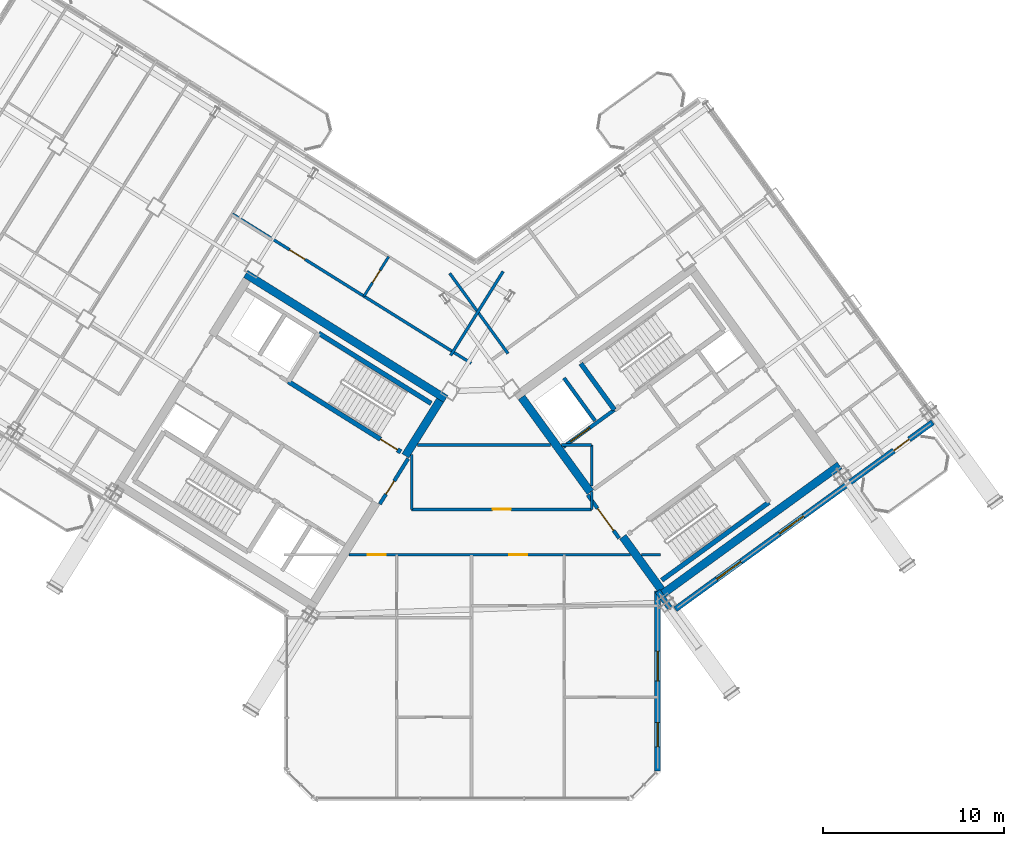
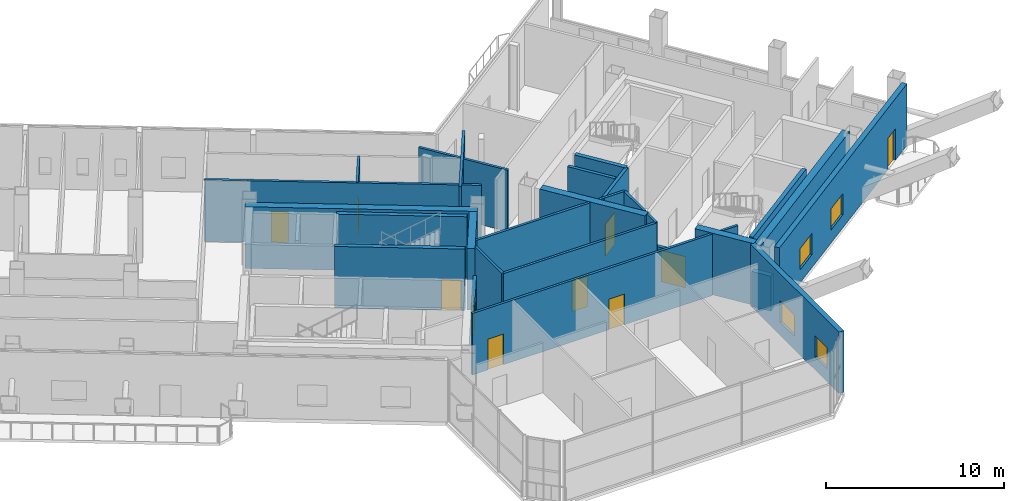
# One storey, part 24 of 34: 28 walls, 10 doors, 4 windows, 14 openings.
"""IFC4 building model written with IfcOpenShell, lengths in metres."""

from ifc_helpers import new_model, si_unit, direction, frame, frame_2d, origin, place, context, subcontext, project, spatial, rectangle, extrude, source, transform, mapped, material, layer, layer_set, type_object, element, fill, save


model = new_model("IFC4")

# Units and contexts
model_context = context("Model", 3, precision=1e-05, world=origin(), true_north=direction((0.0, 1.0)))
body_context = subcontext(model_context, "Body", "Model", "MODEL_VIEW")
ifc_project = project(units=[si_unit("LENGTHUNIT", "METRE"), si_unit("AREAUNIT", "SQUARE_METRE"), si_unit("VOLUMEUNIT", "CUBIC_METRE"), si_unit("PLANEANGLEUNIT", "RADIAN"), si_unit("MASSUNIT", "GRAM", prefix="KILO")], contexts=[model_context])

# Site, building, storey
site_placement = place(None, origin())
site = spatial("IfcSite", under=ifc_project, at=site_placement, CompositionType="ELEMENT")
building_placement = place(site_placement, origin())
building = spatial("IfcBuilding", under=site, at=building_placement, Name="Tlacorven Tower", CompositionType="ELEMENT")
storey_placement = place(building_placement, frame((0.0, 0.0, 229.199951171875)))
storey = spatial("IfcBuildingStorey", under=building, at=storey_placement, Name="L58", CompositionType="ELEMENT", Elevation=229.199951171875)

# Walls
ifc_material_1 = material(Name="Concrete C50/60", Category="concrete")
ifc_layer_1 = layer(ifc_material_1, 0.449951171875)
ifc_layer_set_1 = layer_set([ifc_layer_1], Name="Concrete C50/60")
wall_type_1 = type_object("IfcWallType", Name="WL-COR-450", PredefinedType="SHEAR", material=ifc_layer_set_1)
wall_1_placement = place(storey_placement, frame((40.53076171875, 24.036376953125, 0.0), z_axis=(0.0, 0.0, 1.0), x_axis=(-0.848048787466, 0.529918157905, 0.0)))
element("IfcWall", 1, at=wall_1_placement, inside=storey, type_object=wall_type_1, Name="L58 W core shear wall S1", PredefinedType="SHEAR", context=body_context, shape_type="SweptSolid", body=[
    extrude(rectangle(XDim=13.0400390625, YDim=0.449951171875, at=frame_2d((6.52001953125, 0.0))), origin(), (0.0, 0.0, 1.0), 4.219970703125),
])
wall_2_placement = place(storey_placement, frame((40.220703125, 23.96484375, 0.0), z_axis=(0.0, 0.0, 1.0), x_axis=(-0.529902075036, -0.848058836916, 0.0)))
element("IfcWall", 2, at=wall_2_placement, inside=storey, type_object=wall_type_1, Name="L58 W core end wall E1.1", PredefinedType="SHEAR", context=body_context, shape_type="SweptSolid", body=[
    extrude(rectangle(XDim=3.625, YDim=0.449951171875, at=frame_2d((1.8125, 0.0))), origin(), (0.0, 0.0, 1.0), 4.219970703125),
])
wall_3_placement = place(storey_placement, frame((52.3994140625, 13.169189453125, 0.0), z_axis=(0.0, 0.0, 1.0), x_axis=(0.809022352778, 0.587777877013, 0.0)))
element("IfcWall", 3, at=wall_3_placement, inside=storey, type_object=wall_type_1, Name="L58 E core shear wall S1", PredefinedType="SHEAR", context=body_context, shape_type="SweptSolid", body=[
    extrude(rectangle(XDim=12.239990234375, YDim=0.449951171875, at=frame_2d((6.1201171875, 0.0))), origin(), (0.0, 0.0, 1.0), 4.219970703125),
])
wall_4_placement = place(storey_placement, frame((52.44921875, 13.4833984375, 0.0), z_axis=(0.0, 0.0, 1.0), x_axis=(-0.587819244441, 0.808992296542, 0.0)))
element("IfcWall", 4, at=wall_4_placement, inside=storey, type_object=wall_type_1, Name="L58 E core end wall E1.1", PredefinedType="SHEAR", context=body_context, shape_type="SweptSolid", body=[
    extrude(rectangle(XDim=3.625, YDim=0.449951171875, at=frame_2d((1.8125, 0.0))), origin(), (0.0, 0.0, 1.0), 4.219970703125),
])
wall_5_placement = place(storey_placement, frame((48.525634765625, 18.883544921875, 0.0), z_axis=(0.0, 0.0, 1.0), x_axis=(-0.587774812919, 0.809024578921, 0.0)))
element("IfcWall", 5, at=wall_5_placement, inside=storey, type_object=wall_type_1, Name="L58 E core end wall E1.2", PredefinedType="SHEAR", context=body_context, shape_type="SweptSolid", body=[
    extrude(rectangle(XDim=6.47509765625, YDim=0.449951171875, at=frame_2d((3.237548828125, 0.0))), origin(), (0.0, 0.0, 1.0), 4.219970703125),
])

# Wall, opening, door
ifc_material_2 = material(Name="Gypsum plasterboard acoustic partition", Category="gypsum")
ifc_layer_2 = layer(ifc_material_2, 0.159912109375)
ifc_layer_set_2 = layer_set([ifc_layer_2], Name="Gypsum plasterboard acoustic partition")
wall_type_2 = type_object("IfcWallType", Name="WL-DEM-160", PredefinedType="PARTITIONING", material=ifc_layer_set_2)
wall_6_placement = place(storey_placement, frame((41.93603515625, 26.011962890625, 0.0), z_axis=(0.0, 0.0, 1.0), x_axis=(-0.848051154596, 0.529914369676, 0.0)))
wall_6 = element("IfcWall", 6, at=wall_6_placement, inside=storey, type_object=wall_type_2, Name="L58 partition 57", PredefinedType="PARTITIONING", context=body_context, shape_type="SweptSolid", body=[
    extrude(rectangle(XDim=15.56982421875, YDim=0.159912109375, at=frame_2d((7.784912109375, 0.0))), origin(), (0.0, 0.0, 1.0), 4.2099609375),
])
opening_1_placement = place(wall_6_placement, frame((10.830078125, 0.0, 0.0)))
opening_1 = element("IfcOpeningElement", 7, at=opening_1_placement, cuts=wall_6, Name="Opening D11", PredefinedType="OPENING", context=body_context, shape_type="SweptSolid", body=[
    extrude(rectangle(XDim=1.0, YDim=2.10009765625, at=frame_2d((0.5, 1.050048828125))), frame((0.0, 0.08984375, 0.0), z_axis=(0.0, -1.0, 0.0), x_axis=(1.0, 0.0, 0.0)), (0.0, 0.0, 1.0), 0.179931640625),
])
ifc_material_3 = material(Name="Fire-rated steel door assembly", Category="steel")
door_type_1 = type_object("IfcDoorType", Name="DR-FLT-FD60-1000", OperationType="NOTDEFINED", PredefinedType="DOOR", material=ifc_material_3)
shared_shape_1 = source(origin(), body_context, "Body", "SweptSolid", [
    extrude(rectangle(XDim=1.0, YDim=2.10009765625, at=frame_2d((0.5, 1.050048828125))), frame((0.0, 0.02490234375, 0.0), z_axis=(0.0, -1.0, 0.0), x_axis=(1.0, 0.0, 0.0)), (0.0, 0.0, 1.0), 0.050048828125),
])
door_1_placement = place(opening_1_placement, origin())
door_1 = element("IfcDoor", 8, at=door_1_placement, inside=storey, type_object=door_type_1, Name="L58 door 037", OperationType="SINGLE_SWING_RIGHT", OverallHeight=2.10009765625, OverallWidth=1.0, PredefinedType="DOOR", context=body_context, shape_type="MappedRepresentation", body=[
    mapped(shared_shape_1, transform((0.0, 0.0, 0.0), scale=1.0)),
])
fill(opening_1, door_1)

# Wall
wall_7_placement = place(storey_placement, frame((43.70361328125, 31.086181640625, 0.0), z_axis=(0.0, 0.0, 1.0), x_axis=(-0.529906828443, -0.848055866774, 0.0)))
element("IfcWall", 9, at=wall_7_placement, inside=storey, type_object=wall_type_2, Name="L58 WC West Throat Wall", PredefinedType="PARTITIONING", context=body_context, shape_type="SweptSolid", body=[
    extrude(rectangle(XDim=5.479736328125, YDim=0.159912109375, at=frame_2d((2.73974609375, 0.0))), origin(), (0.0, 0.0, 1.0), 4.2099609375),
])

# Wall, openings, doors
wall_8_placement = place(storey_placement, frame((35.178466796875, 15.419921875, 0.0), z_axis=(0.0, 0.0, 1.0), x_axis=(1.0, 0.0, 0.0)))
wall_8 = element("IfcWall", 10, at=wall_8_placement, inside=storey, type_object=wall_type_2, Name="L58 Knuckle Corridor South Wall", PredefinedType="PARTITIONING", context=body_context, shape_type="SweptSolid", body=[
    extrude(rectangle(XDim=15.55224609375, YDim=0.159912109375, at=frame_2d((7.776123046875, 0.0))), origin(), (0.0, 0.0, 1.0), 4.2099609375),
])
opening_2_placement = place(wall_8_placement, frame((1.028076171875, 0.0, 0.0)))
opening_2 = element("IfcOpeningElement", 11, at=opening_2_placement, cuts=wall_8, Name="Opening D11", PredefinedType="OPENING", context=body_context, shape_type="SweptSolid", body=[
    extrude(rectangle(XDim=1.0, YDim=2.10009765625, at=frame_2d((0.5, 1.050048828125))), frame((0.0, 0.08984375, 0.0), z_axis=(0.0, -1.0, 0.0), x_axis=(1.0, 0.0, 0.0)), (0.0, 0.0, 1.0), 0.179931640625),
])
opening_3_placement = place(wall_8_placement, frame((8.857666015625, 0.0, 0.0)))
opening_3 = element("IfcOpeningElement", 12, at=opening_3_placement, cuts=wall_8, Name="Opening D11", PredefinedType="OPENING", context=body_context, shape_type="SweptSolid", body=[
    extrude(rectangle(XDim=1.0, YDim=2.10009765625, at=frame_2d((0.5, 1.050048828125))), frame((0.0, 0.08984375, 0.0), z_axis=(0.0, -1.0, 0.0), x_axis=(1.0, 0.0, 0.0)), (0.0, 0.0, 1.0), 0.179931640625),
])
door_2_placement = place(opening_2_placement, frame((1.0, 0.0, 0.0), z_axis=(0.0, 0.0, 1.0), x_axis=(-1.0, 0.0, 0.0)))
door_2 = element("IfcDoor", 13, at=door_2_placement, inside=storey, type_object=door_type_1, Name="L58 door 045", OperationType="SINGLE_SWING_RIGHT", OverallHeight=2.10009765625, OverallWidth=1.0, PredefinedType="DOOR", context=body_context, shape_type="MappedRepresentation", body=[
    mapped(shared_shape_1, transform((0.0, 0.0, 0.0), scale=1.0)),
])
fill(opening_2, door_2)
door_3_placement = place(opening_3_placement, frame((1.0, 0.0, 0.0), z_axis=(0.0, 0.0, 1.0), x_axis=(-1.0, 0.0, 0.0)))
door_3 = element("IfcDoor", 14, at=door_3_placement, inside=storey, type_object=door_type_1, Name="L58 door 050", OperationType="SINGLE_SWING_LEFT", OverallHeight=2.10009765625, OverallWidth=1.0, PredefinedType="DOOR", context=body_context, shape_type="MappedRepresentation", body=[
    mapped(shared_shape_1, transform((0.0, 0.0, 0.0), scale=1.0)),
])
fill(opening_3, door_3)

# Wall
wall_9_placement = place(storey_placement, frame((51.353515625, 15.419921875, 0.0), z_axis=(0.0, 0.0, 1.0), x_axis=(1.0, 0.0, 0.0)))
element("IfcWall", 15, at=wall_9_placement, inside=storey, type_object=wall_type_2, Name="L58 Knuckle Corridor South Wall", PredefinedType="PARTITIONING", context=body_context, shape_type="SweptSolid", body=[
    extrude(rectangle(XDim=1.04638671875, YDim=0.159912109375, at=frame_2d((0.523193359375, 0.0))), origin(), (0.0, 0.0, 1.0), 4.2099609375),
])

# Wall, opening, door
wall_10_placement = place(storey_placement, frame((38.64990234375, 17.929931640625, 0.0), z_axis=(0.0, 0.0, 1.0), x_axis=(1.0, 0.0, 0.0)))
wall_10 = element("IfcWall", 16, at=wall_10_placement, inside=storey, type_object=wall_type_2, Name="L58 partition 63", PredefinedType="PARTITIONING", context=body_context, shape_type="SweptSolid", body=[
    extrude(rectangle(XDim=9.9501953125, YDim=0.159912109375, at=frame_2d((4.97509765625, 0.0))), origin(), (0.0, 0.0, 1.0), 4.2099609375),
])
opening_4_placement = place(wall_10_placement, frame((4.47509765625, 0.0, 0.0)))
opening_4 = element("IfcOpeningElement", 17, at=opening_4_placement, cuts=wall_10, Name="Opening D11", PredefinedType="OPENING", context=body_context, shape_type="SweptSolid", body=[
    extrude(rectangle(XDim=1.0, YDim=2.10009765625, at=frame_2d((0.5, 1.050048828125))), frame((0.0, 0.08984375, 0.0), z_axis=(0.0, -1.0, 0.0), x_axis=(1.0, 0.0, 0.0)), (0.0, 0.0, 1.0), 0.179931640625),
])
door_4_placement = place(opening_4_placement, origin())
door_4 = element("IfcDoor", 18, at=door_4_placement, inside=storey, type_object=door_type_1, Name="L58 door 040", OperationType="SINGLE_SWING_LEFT", OverallHeight=2.10009765625, OverallWidth=1.0, PredefinedType="DOOR", context=body_context, shape_type="MappedRepresentation", body=[
    mapped(shared_shape_1, transform((0.0, 0.0, 0.0), scale=1.0)),
])
fill(opening_4, door_4)

# Walls
wall_11_placement = place(storey_placement, frame((38.64990234375, 17.929931640625, 0.0), z_axis=(0.0, 0.0, 1.0), x_axis=(0.0, 1.0, 0.0)))
element("IfcWall", 19, at=wall_11_placement, inside=storey, type_object=wall_type_2, Name="L58 partition 64", PredefinedType="PARTITIONING", context=body_context, shape_type="SweptSolid", body=[
    extrude(rectangle(XDim=3.045654296875, YDim=0.159912109375, at=frame_2d((1.52294921875, 0.0))), origin(), (0.0, 0.0, 1.0), 4.2099609375),
])
wall_12_placement = place(storey_placement, frame((48.60009765625, 17.929931640625, 0.0), z_axis=(0.0, 0.0, 1.0), x_axis=(0.0, 1.0, 0.0)))
element("IfcWall", 20, at=wall_12_placement, inside=storey, type_object=wall_type_2, Name="L58 partition 65", PredefinedType="PARTITIONING", context=body_context, shape_type="SweptSolid", body=[
    extrude(rectangle(XDim=0.99267578125, YDim=0.159912109375, at=frame_2d((0.496337890625, 0.0))), origin(), (0.0, 0.0, 1.0), 4.2099609375),
])
wall_13_placement = place(storey_placement, frame((48.60009765625, 19.2099609375, 0.0), z_axis=(0.0, 0.0, 1.0), x_axis=(0.0, 1.0, 0.0)))
element("IfcWall", 21, at=wall_13_placement, inside=storey, type_object=wall_type_2, Name="L58 partition 65", PredefinedType="PARTITIONING", context=body_context, shape_type="SweptSolid", body=[
    extrude(rectangle(XDim=2.2900390625, YDim=0.159912109375, at=frame_2d((1.14501953125, 0.0))), origin(), (0.0, 0.0, 1.0), 4.2099609375),
])
wall_14_placement = place(storey_placement, frame((38.9775390625, 21.5, 0.0), z_axis=(0.0, 0.0, 1.0), x_axis=(1.0, 0.0, 0.0)))
element("IfcWall", 22, at=wall_14_placement, inside=storey, type_object=wall_type_2, Name="L58 partition 66", PredefinedType="PARTITIONING", context=body_context, shape_type="SweptSolid", body=[
    extrude(rectangle(XDim=7.335693359375, YDim=0.159912109375, at=frame_2d((3.66796875, 0.0))), origin(), (0.0, 0.0, 1.0), 4.2099609375),
])
wall_15_placement = place(storey_placement, frame((46.936279296875, 21.5, 0.0), z_axis=(0.0, 0.0, 1.0), x_axis=(1.0, 0.0, 0.0)))
element("IfcWall", 23, at=wall_15_placement, inside=storey, type_object=wall_type_2, Name="L58 partition 66", PredefinedType="PARTITIONING", context=body_context, shape_type="SweptSolid", body=[
    extrude(rectangle(XDim=1.663818359375, YDim=0.159912109375, at=frame_2d((0.83203125, 0.0))), origin(), (0.0, 0.0, 1.0), 4.2099609375),
])
wall_16_placement = place(storey_placement, frame((43.969482421875, 26.549560546875, 0.0), z_axis=(0.0, 0.0, 1.0), x_axis=(-0.587776919386, 0.80902304852, 0.0)))
element("IfcWall", 24, at=wall_16_placement, inside=storey, type_object=wall_type_2, Name="L58 EC West Throat Wall", PredefinedType="PARTITIONING", context=body_context, shape_type="SweptSolid", body=[
    extrude(rectangle(XDim=5.47998046875, YDim=0.159912109375, at=frame_2d((2.739990234375, 0.0))), origin(), (0.0, 0.0, 1.0), 4.2099609375),
])

# Wall, openings, door, windows
ifc_material_4 = material(Name="Precast concrete C45/55", Category="concrete")
ifc_layer_3 = layer(ifc_material_4, 0.320068359375)
ifc_layer_set_3 = layer_set([ifc_layer_3], Name="Precast concrete C45/55")
wall_type_3 = type_object("IfcWallType", Name="WL-EXT-320", PredefinedType="STANDARD", material=ifc_layer_set_3)
wall_17_placement = place(storey_placement, frame((67.45361328125, 22.746826171875, 0.0), z_axis=(0.0, 0.0, 1.0), x_axis=(-0.809021120468, -0.587779573171, 0.0)))
wall_17 = element("IfcWall", 25, at=wall_17_placement, inside=storey, type_object=wall_type_3, Name="L58 Masonry-Frame Recessed Facade Wall 6", PredefinedType="STANDARD", context=body_context, shape_type="SweptSolid", body=[
    extrude(rectangle(XDim=17.587646484375, YDim=0.320068359375, at=frame_2d((8.7939453125, 0.0))), origin(), (0.0, 0.0, 1.0), 4.219970703125),
])
opening_5_placement = place(wall_17_placement, frame((1.611083984375, 0.0, 0.0)))
opening_5 = element("IfcOpeningElement", 26, at=opening_5_placement, cuts=wall_17, Name="Opening D06", PredefinedType="OPENING", context=body_context, shape_type="SweptSolid", body=[
    extrude(rectangle(XDim=1.050048828125, YDim=2.14990234375, at=frame_2d((0.52490234375, 1.074951171875))), frame((0.0, 0.169921875, 0.0), z_axis=(0.0, -1.0, 0.0), x_axis=(1.0, 0.0, 0.0)), (0.0, 0.0, 1.0), 0.340087890625),
])
opening_6_placement = place(wall_17_placement, frame((8.831298828125, 0.0, 0.89990234375)))
opening_6 = element("IfcOpeningElement", 27, at=opening_6_placement, cuts=wall_17, Name="Opening WN07", PredefinedType="OPENING", context=body_context, shape_type="SweptSolid", body=[
    extrude(rectangle(XDim=1.64990234375, YDim=1.449951171875, at=frame_2d((0.824951171875, 0.72509765625))), frame((0.0, 0.169921875, 0.0), z_axis=(0.0, -1.0, 0.0), x_axis=(1.0, 0.0, 0.0)), (0.0, 0.0, 1.0), 0.340087890625),
])
opening_7_placement = place(wall_17_placement, frame((13.106201171875, 0.0, 0.89990234375)))
opening_7 = element("IfcOpeningElement", 28, at=opening_7_placement, cuts=wall_17, Name="Opening WN07", PredefinedType="OPENING", context=body_context, shape_type="SweptSolid", body=[
    extrude(rectangle(XDim=1.64990234375, YDim=1.449951171875, at=frame_2d((0.824951171875, 0.72509765625))), frame((0.0, 0.169921875, 0.0), z_axis=(0.0, -1.0, 0.0), x_axis=(1.0, 0.0, 0.0)), (0.0, 0.0, 1.0), 0.340087890625),
])
ifc_material_5 = material(Name="Powder-coated aluminium and timber door", Category="wood")
door_type_2 = type_object("IfcDoorType", Name="DR-EXT-BALC-1050", OperationType="NOTDEFINED", PredefinedType="DOOR", material=ifc_material_5)
shared_shape_2 = source(origin(), body_context, "Body", "SweptSolid", [
    extrude(rectangle(XDim=1.050048828125, YDim=2.14990234375, at=frame_2d((0.52490234375, 1.074951171875))), frame((0.0, 0.02490234375, 0.0), z_axis=(0.0, -1.0, 0.0), x_axis=(1.0, 0.0, 0.0)), (0.0, 0.0, 1.0), 0.050048828125),
])
door_5_placement = place(opening_5_placement, origin())
door_5 = element("IfcDoor", 29, at=door_5_placement, inside=storey, type_object=door_type_2, Name="L58 Outdoor Access Door BAL-L58-E-OUT", OperationType="SINGLE_SWING_LEFT", OverallHeight=2.14990234375, OverallWidth=1.050048828125, PredefinedType="DOOR", context=body_context, shape_type="MappedRepresentation", body=[
    mapped(shared_shape_2, transform((0.0, 0.0, 0.0), scale=1.0)),
])
fill(opening_5, door_5)
ifc_material_6 = material(Name="Dark solar low-E double glazing in anodised aluminium frame", Category="aluminium")
window_type_1 = type_object("IfcWindowType", Name="WN-APT-1650X1600", PartitioningType="SINGLE_PANEL", PredefinedType="WINDOW", material=ifc_material_6)
shared_shape_3 = source(origin(), body_context, "Body", "SweptSolid", [
    extrude(rectangle(XDim=1.64990234375, YDim=1.449951171875, at=frame_2d((0.824951171875, 0.72509765625))), frame((0.0, 0.030029296875, 0.0), z_axis=(0.0, -1.0, 0.0), x_axis=(1.0, 0.0, 0.0)), (0.0, 0.0, 1.0), 0.06005859375),
])
window_1_placement = place(opening_6_placement, origin())
window_1 = element("IfcWindow", 30, at=window_1_placement, inside=storey, type_object=window_type_1, Name="L58 Recessed Masonry-Frame Window L58-06.1", OverallHeight=1.449951171875, OverallWidth=1.64990234375, PartitioningType="SINGLE_PANEL", PredefinedType="WINDOW", context=body_context, shape_type="MappedRepresentation", body=[
    mapped(shared_shape_3, transform((0.0, 0.0, 0.0), scale=1.0)),
])
fill(opening_6, window_1)
window_2_placement = place(opening_7_placement, origin())
window_2 = element("IfcWindow", 31, at=window_2_placement, inside=storey, type_object=window_type_1, Name="L58 Recessed Masonry-Frame Window L58-06.2", OverallHeight=1.449951171875, OverallWidth=1.64990234375, PartitioningType="SINGLE_PANEL", PredefinedType="WINDOW", context=body_context, shape_type="MappedRepresentation", body=[
    mapped(shared_shape_3, transform((0.0, 0.0, 0.0), scale=1.0)),
])
fill(opening_7, window_2)

# Wall
wall_18_placement = place(storey_placement, frame((52.936767578125, 12.454833984375, 0.0), z_axis=(0.0, 0.0, 1.0), x_axis=(-0.587706324018, 0.809074333241, 0.0)))
element("IfcWall", 32, at=wall_18_placement, inside=storey, type_object=wall_type_3, Name="L58 Masonry-Frame Recessed Facade Wall 7", PredefinedType="STANDARD", context=body_context, shape_type="SweptSolid", body=[
    extrude(rectangle(XDim=1.185546875, YDim=0.320068359375, at=frame_2d((0.5927734375, 0.0))), origin(), (0.0, 0.0, 1.0), 2.39501953125),
])

# Wall, openings, windows
wall_19_placement = place(storey_placement, frame((52.239990234375, 13.4140625, 0.0), z_axis=(0.0, 0.0, 1.0), x_axis=(0.0, -1.0, 0.0)))
wall_19 = element("IfcWall", 33, at=wall_19_placement, inside=storey, type_object=wall_type_3, Name="L58 Masonry-Frame Recessed Facade Wall 8", PredefinedType="STANDARD", context=body_context, shape_type="SweptSolid", body=[
    extrude(rectangle(XDim=9.94775390625, YDim=0.320068359375, at=frame_2d((4.973876953125, 0.0))), origin(), (0.0, 0.0, 1.0), 4.219970703125),
])
opening_8_placement = place(wall_19_placement, frame((3.322021484375, 0.0, 0.89990234375)))
opening_8 = element("IfcOpeningElement", 34, at=opening_8_placement, cuts=wall_19, Name="Opening WN07", PredefinedType="OPENING", context=body_context, shape_type="SweptSolid", body=[
    extrude(rectangle(XDim=1.64990234375, YDim=1.449951171875, at=frame_2d((0.824951171875, 0.72509765625))), frame((0.0, 0.169921875, 0.0), z_axis=(0.0, -1.0, 0.0), x_axis=(1.0, 0.0, 0.0)), (0.0, 0.0, 1.0), 0.340087890625),
])
opening_9_placement = place(wall_19_placement, frame((7.25830078125, 0.0, 0.89990234375)))
opening_9 = element("IfcOpeningElement", 35, at=opening_9_placement, cuts=wall_19, Name="Opening WN08", PredefinedType="OPENING", context=body_context, shape_type="SweptSolid", body=[
    extrude(rectangle(XDim=1.35009765625, YDim=1.449951171875, at=frame_2d((0.675048828125, 0.72509765625))), frame((0.0, 0.169921875, 0.0), z_axis=(0.0, -1.0, 0.0), x_axis=(1.0, 0.0, 0.0)), (0.0, 0.0, 1.0), 0.340087890625),
])
window_3_placement = place(opening_8_placement, origin())
window_3 = element("IfcWindow", 36, at=window_3_placement, inside=storey, type_object=window_type_1, Name="L58 Recessed Masonry-Frame Window L58-08.1", OverallHeight=1.449951171875, OverallWidth=1.64990234375, PartitioningType="SINGLE_PANEL", PredefinedType="WINDOW", context=body_context, shape_type="MappedRepresentation", body=[
    mapped(shared_shape_3, transform((0.0, 0.0, 0.0), scale=1.0)),
])
fill(opening_8, window_3)
window_type_2 = type_object("IfcWindowType", Name="WN-APT-1350X1550", PartitioningType="SINGLE_PANEL", PredefinedType="WINDOW", material=ifc_material_6)
shared_shape_4 = source(origin(), body_context, "Body", "SweptSolid", [
    extrude(rectangle(XDim=1.35009765625, YDim=1.449951171875, at=frame_2d((0.675048828125, 0.72509765625))), frame((0.0, 0.030029296875, 0.0), z_axis=(0.0, -1.0, 0.0), x_axis=(1.0, 0.0, 0.0)), (0.0, 0.0, 1.0), 0.06005859375),
])
window_4_placement = place(opening_9_placement, origin())
window_4 = element("IfcWindow", 37, at=window_4_placement, inside=storey, type_object=window_type_2, Name="L58 Recessed Masonry-Frame Window L58-08.2", OverallHeight=1.449951171875, OverallWidth=1.35009765625, PartitioningType="SINGLE_PANEL", PredefinedType="WINDOW", context=body_context, shape_type="MappedRepresentation", body=[
    mapped(shared_shape_4, transform((0.0, 0.0, 0.0), scale=1.0)),
])
fill(opening_9, window_4)

# Wall, opening, door
ifc_material_7 = material(Name="Moisture-resistant gypsum plumbing wall", Category="gypsum")
ifc_layer_4 = layer(ifc_material_7, 0.139892578125)
ifc_layer_set_4 = layer_set([ifc_layer_4], Name="Moisture-resistant gypsum plumbing wall")
wall_type_4 = type_object("IfcWallType", Name="WL-PLM-140", PredefinedType="PLUMBINGWALL", material=ifc_layer_set_4)
wall_20_placement = place(storey_placement, frame((37.37548828125, 31.904052734375, 0.0), z_axis=(0.0, 0.0, 1.0), x_axis=(-0.529913878929, -0.848051461244, 0.0)))
wall_20 = element("IfcWall", 38, at=wall_20_placement, inside=storey, type_object=wall_type_4, Name="L58 partition 60", PredefinedType="PLUMBINGWALL", context=body_context, shape_type="SweptSolid", body=[
    extrude(rectangle(XDim=2.580078125, YDim=0.139892578125, at=frame_2d((1.2900390625, 0.0))), origin(), (0.0, 0.0, 1.0), 4.2099609375),
])
opening_10_placement = place(wall_20_placement, frame((0.89990234375, 0.0, 0.0)))
opening_10 = element("IfcOpeningElement", 39, at=opening_10_placement, cuts=wall_20, Name="Opening D22", PredefinedType="OPENING", context=body_context, shape_type="SweptSolid", body=[
    extrude(rectangle(XDim=0.780029296875, YDim=2.050048828125, at=frame_2d((0.39013671875, 1.02490234375))), frame((0.0, 0.080078125, 0.0), z_axis=(0.0, -1.0, 0.0), x_axis=(1.0, 0.0, 0.0)), (0.0, 0.0, 1.0), 0.159912109375),
])
door_type_3 = type_object("IfcDoorType", Name="DR-INT-WET-0780", OperationType="NOTDEFINED", PredefinedType="DOOR", material=ifc_material_5)
shared_shape_5 = source(origin(), body_context, "Body", "SweptSolid", [
    extrude(rectangle(XDim=0.780029296875, YDim=2.050048828125, at=frame_2d((0.39013671875, 1.02490234375))), frame((0.0, 0.02490234375, 0.0), z_axis=(0.0, -1.0, 0.0), x_axis=(1.0, 0.0, 0.0)), (0.0, 0.0, 1.0), 0.050048828125),
])
door_6_placement = place(opening_10_placement, origin())
door_6 = element("IfcDoor", 40, at=door_6_placement, inside=storey, type_object=door_type_3, Name="L58 door 039", OperationType="SINGLE_SWING_RIGHT", OverallHeight=2.050048828125, OverallWidth=0.780029296875, PredefinedType="DOOR", context=body_context, shape_type="MappedRepresentation", body=[
    mapped(shared_shape_5, transform((0.0, 0.0, 0.0), scale=1.0)),
])
fill(opening_10, door_6)

ifc_material_8 = material(Name="Concrete C40/50", Category="concrete")
ifc_layer_5 = layer(ifc_material_8, 0.199951171875)
ifc_layer_set_5 = layer_set([ifc_layer_5], Name="Concrete C40/50")
wall_type_5 = type_object("IfcWallType", Name="WL-SHF-200", PredefinedType="STANDARD", material=ifc_layer_set_5)
wall_21_placement = place(storey_placement, frame((47.02490234375, 21.3779296875, 0.0), z_axis=(0.0, 0.0, 1.0), x_axis=(0.809052869724, 0.587735870941, 0.0)))
wall_21 = element("IfcWall", 41, at=wall_21_placement, inside=storey, type_object=wall_type_5, Name="L58 Core E Firefighting Lift Shaft Front Wall", PredefinedType="STANDARD", context=body_context, shape_type="SweptSolid", body=[
    extrude(rectangle(XDim=3.498046875, YDim=0.199951171875, at=frame_2d((1.7490234375, 0.0))), origin(), (0.0, 0.0, 1.0), 4.2099609375),
])
opening_11_placement = place(wall_21_placement, frame((0.508056640625, 0.0, 0.0)))
opening_11 = element("IfcOpeningElement", 42, at=opening_11_placement, cuts=wall_21, Name="Opening LD03", PredefinedType="OPENING", context=body_context, shape_type="SweptSolid", body=[
    extrude(rectangle(XDim=1.300048828125, YDim=2.199951171875, at=frame_2d((0.64990234375, 1.10009765625))), frame((0.0, 0.10986328125, 0.0), z_axis=(0.0, -1.0, 0.0), x_axis=(1.0, 0.0, 0.0)), (0.0, 0.0, 1.0), 0.219970703125),
])
door_type_4 = type_object("IfcDoorType", Name="DR-LFT-SLID-1300", OperationType="DOUBLE_DOOR_SLIDING", PredefinedType="DOOR", material=ifc_material_3)
shared_shape_6 = source(origin(), body_context, "Body", "SweptSolid", [
    extrude(rectangle(XDim=1.300048828125, YDim=2.199951171875, at=frame_2d((0.64990234375, 1.10009765625))), frame((0.0, 0.02490234375, 0.0), z_axis=(0.0, -1.0, 0.0), x_axis=(1.0, 0.0, 0.0)), (0.0, 0.0, 1.0), 0.050048828125),
])
door_7_placement = place(opening_11_placement, origin())
door_7 = element("IfcDoor", 43, at=door_7_placement, inside=storey, type_object=door_type_4, Name="L58 Lift FFL-E1 Sliding Landing Door", OperationType="DOUBLE_DOOR_SLIDING", OverallHeight=2.199951171875, OverallWidth=1.300048828125, PredefinedType="DOOR", context=body_context, shape_type="MappedRepresentation", body=[
    mapped(shared_shape_6, transform((0.0, 0.0, 0.0), scale=1.0)),
])
fill(opening_11, door_7)

# Wall
wall_22_placement = place(storey_placement, frame((48.78564453125, 22.830078125, 0.0), z_axis=(0.0, 0.0, 1.0), x_axis=(-0.587783856777, 0.809018008275, 0.0)))
element("IfcWall", 44, at=wall_22_placement, inside=storey, type_object=wall_type_5, Name="L58 partition 30", PredefinedType="STANDARD", context=body_context, shape_type="SweptSolid", body=[
    extrude(rectangle(XDim=2.919921875, YDim=0.199951171875, at=frame_2d((1.4599609375, 0.0))), origin(), (0.0, 0.0, 1.0), 4.2099609375),
])

# Wall, opening, door
wall_23_placement = place(storey_placement, frame((38.451416015625, 20.737060546875, 0.0), z_axis=(0.0, 0.0, 1.0), x_axis=(-0.529924799939, -0.848044637038, 0.0)))
wall_23 = element("IfcWall", 45, at=wall_23_placement, inside=storey, type_object=wall_type_5, Name="L58 partition 61", PredefinedType="STANDARD", context=body_context, shape_type="SweptSolid", body=[
    extrude(rectangle(XDim=2.9599609375, YDim=0.199951171875, at=frame_2d((1.47998046875, 0.0))), origin(), (0.0, 0.0, 1.0), 2.39501953125),
])
opening_12_placement = place(wall_23_placement, frame((1.4599609375, 0.0, 0.0)))
opening_12 = element("IfcOpeningElement", 46, at=opening_12_placement, cuts=wall_23, Name="Opening D19", PredefinedType="OPENING", context=body_context, shape_type="SweptSolid", body=[
    extrude(rectangle(XDim=0.860107421875, YDim=2.050048828125, at=frame_2d((0.43017578125, 1.02490234375))), frame((0.0, 0.10986328125, 0.0), z_axis=(0.0, -1.0, 0.0), x_axis=(1.0, 0.0, 0.0)), (0.0, 0.0, 1.0), 0.219970703125),
])
door_type_5 = type_object("IfcDoorType", Name="DR-RSR-FD60-0860", OperationType="NOTDEFINED", PredefinedType="DOOR", material=ifc_material_3)
shared_shape_7 = source(origin(), body_context, "Body", "SweptSolid", [
    extrude(rectangle(XDim=0.860107421875, YDim=2.050048828125, at=frame_2d((0.43017578125, 1.02490234375))), frame((0.0, 0.02490234375, 0.0), z_axis=(0.0, -1.0, 0.0), x_axis=(1.0, 0.0, 0.0)), (0.0, 0.0, 1.0), 0.050048828125),
])
door_8_placement = place(opening_12_placement, frame((0.860107421875, 0.0, 0.0), z_axis=(0.0, 0.0, 1.0), x_axis=(-1.0, 0.0, 0.0)))
door_8 = element("IfcDoor", 47, at=door_8_placement, inside=storey, type_object=door_type_5, Name="L58 door 041", OperationType="SINGLE_SWING_LEFT", OverallHeight=2.050048828125, OverallWidth=0.860107421875, PredefinedType="DOOR", context=body_context, shape_type="MappedRepresentation", body=[
    mapped(shared_shape_7, transform((0.0, 0.0, 0.0), scale=1.0)),
])
fill(opening_12, door_8)

wall_24_placement = place(storey_placement, frame((50.119140625, 16.3330078125, 0.0), z_axis=(0.0, 0.0, 1.0), x_axis=(-0.587749856981, 0.809042709391, 0.0)))
wall_24 = element("IfcWall", 48, at=wall_24_placement, inside=storey, type_object=wall_type_5, Name="L58 partition 67", PredefinedType="STANDARD", context=body_context, shape_type="SweptSolid", body=[
    extrude(rectangle(XDim=2.9599609375, YDim=0.199951171875, at=frame_2d((1.47998046875, 0.0))), origin(), (0.0, 0.0, 1.0), 2.39501953125),
])
opening_13_placement = place(wall_24_placement, frame((0.530029296875, 0.0, 0.0)))
opening_13 = element("IfcOpeningElement", 49, at=opening_13_placement, cuts=wall_24, Name="Opening D10", PredefinedType="OPENING", context=body_context, shape_type="SweptSolid", body=[
    extrude(rectangle(XDim=1.5, YDim=2.14990234375, at=frame_2d((0.75, 1.074951171875))), frame((0.0, 0.10986328125, 0.0), z_axis=(0.0, -1.0, 0.0), x_axis=(1.0, 0.0, 0.0)), (0.0, 0.0, 1.0), 0.219970703125),
])
door_type_6 = type_object("IfcDoorType", Name="DR-LOB-FD60-1500", OperationType="DOUBLE_DOOR_SINGLE_SWING", PredefinedType="DOOR", material=ifc_material_3)
shared_shape_8 = source(origin(), body_context, "Body", "SweptSolid", [
    extrude(rectangle(XDim=1.5, YDim=2.14990234375, at=frame_2d((0.75, 1.074951171875))), frame((0.0, 0.02490234375, 0.0), z_axis=(0.0, -1.0, 0.0), x_axis=(1.0, 0.0, 0.0)), (0.0, 0.0, 1.0), 0.050048828125),
])
door_9_placement = place(opening_13_placement, frame((1.5, 0.0, 0.0), z_axis=(0.0, 0.0, 1.0), x_axis=(-1.0, 0.0, 0.0)))
door_9 = element("IfcDoor", 50, at=door_9_placement, inside=storey, type_object=door_type_6, Name="L58 door 042", OperationType="DOUBLE_DOOR_SINGLE_SWING", OverallHeight=2.14990234375, OverallWidth=1.5, PredefinedType="DOOR", context=body_context, shape_type="MappedRepresentation", body=[
    mapped(shared_shape_8, transform((0.0, 0.0, 0.0), scale=1.0)),
])
fill(opening_13, door_9)

# Wall
ifc_layer_6 = layer(ifc_material_1, 0.260009765625)
ifc_layer_set_6 = layer_set([ifc_layer_6], Name="Concrete C50/60")
wall_type_6 = type_object("IfcWallType", Name="WL-STW-260", PredefinedType="SHEAR", material=ifc_layer_set_6)
wall_25_placement = place(storey_placement, frame((39.720947265625, 23.787841796875, 0.0), z_axis=(0.0, 0.0, 1.0), x_axis=(-0.848054434086, 0.529909121291, 0.0)))
element("IfcWall", 51, at=wall_25_placement, inside=storey, type_object=wall_type_6, Name="L58 Stair W2 Far Shear Wall", PredefinedType="SHEAR", context=body_context, shape_type="SweptSolid", body=[
    extrude(rectangle(XDim=7.330078125, YDim=0.260009765625, at=frame_2d((3.6650390625, 0.0))), origin(), (0.0, 0.0, 1.0), 4.219970703125),
])

# Wall, opening, door
wall_26_placement = place(storey_placement, frame((38.04638671875, 21.10791015625, 0.0), z_axis=(0.0, 0.0, 1.0), x_axis=(-0.848054434086, 0.529909121291, 0.0)))
wall_26 = element("IfcWall", 52, at=wall_26_placement, inside=storey, type_object=wall_type_6, Name="L58 Stair W2 Lobby Shear Wall", PredefinedType="SHEAR", context=body_context, shape_type="SweptSolid", body=[
    extrude(rectangle(XDim=7.330078125, YDim=0.260009765625, at=frame_2d((3.6650390625, 0.0))), origin(), (0.0, 0.0, 1.0), 4.219970703125),
])
opening_14_placement = place(wall_26_placement, frame((0.219970703125, 0.0, 0.0)))
opening_14 = element("IfcOpeningElement", 53, at=opening_14_placement, cuts=wall_26, Name="Opening D07", PredefinedType="OPENING", context=body_context, shape_type="SweptSolid", body=[
    extrude(rectangle(XDim=1.10009765625, YDim=2.10009765625, at=frame_2d((0.550048828125, 1.050048828125))), frame((0.0, 0.14013671875, 0.0), z_axis=(0.0, -1.0, 0.0), x_axis=(1.0, 0.0, 0.0)), (0.0, 0.0, 1.0), 0.280029296875),
])
door_type_7 = type_object("IfcDoorType", Name="DR-STR-FD90-1100", OperationType="NOTDEFINED", PredefinedType="DOOR", material=ifc_material_3)
shared_shape_9 = source(origin(), body_context, "Body", "SweptSolid", [
    extrude(rectangle(XDim=1.10009765625, YDim=2.10009765625, at=frame_2d((0.550048828125, 1.050048828125))), frame((0.0, 0.02490234375, 0.0), z_axis=(0.0, -1.0, 0.0), x_axis=(1.0, 0.0, 0.0)), (0.0, 0.0, 1.0), 0.050048828125),
])
door_10_placement = place(opening_14_placement, origin())
door_10 = element("IfcDoor", 54, at=door_10_placement, inside=storey, type_object=door_type_7, Name="L58 Exit Stair W2 Fire Door", OperationType="SINGLE_SWING_LEFT", OverallHeight=2.10009765625, OverallWidth=1.10009765625, PredefinedType="DOOR", context=body_context, shape_type="MappedRepresentation", body=[
    mapped(shared_shape_9, transform((0.0, 0.0, 0.0), scale=1.0)),
])
fill(opening_14, door_10)

# Walls
wall_27_placement = place(storey_placement, frame((49.85498046875, 23.433837890625, 0.0), z_axis=(0.0, 0.0, 1.0), x_axis=(-0.58776738483, 0.809029975545, 0.0)))
element("IfcWall", 55, at=wall_27_placement, inside=storey, type_object=wall_type_6, Name="L58 Stair E1 West Shear Wall", PredefinedType="SHEAR", context=body_context, shape_type="SweptSolid", body=[
    extrude(rectangle(XDim=3.16015625, YDim=0.260009765625, at=frame_2d((1.580078125, 0.0))), origin(), (0.0, 0.0, 1.0), 4.219970703125),
])
wall_28_placement = place(storey_placement, frame((52.47216796875, 14.01318359375, 0.0), z_axis=(0.0, 0.0, 1.0), x_axis=(0.809028366311, 0.587769599847, 0.0)))
element("IfcWall", 56, at=wall_28_placement, inside=storey, type_object=wall_type_6, Name="L58 Stair E2 Far Shear Wall", PredefinedType="SHEAR", context=body_context, shape_type="SweptSolid", body=[
    extrude(rectangle(XDim=7.330078125, YDim=0.260009765625, at=frame_2d((3.6650390625, 0.0))), origin(), (0.0, 0.0, 1.0), 4.219970703125),
])

save(model, "model.ifc")
